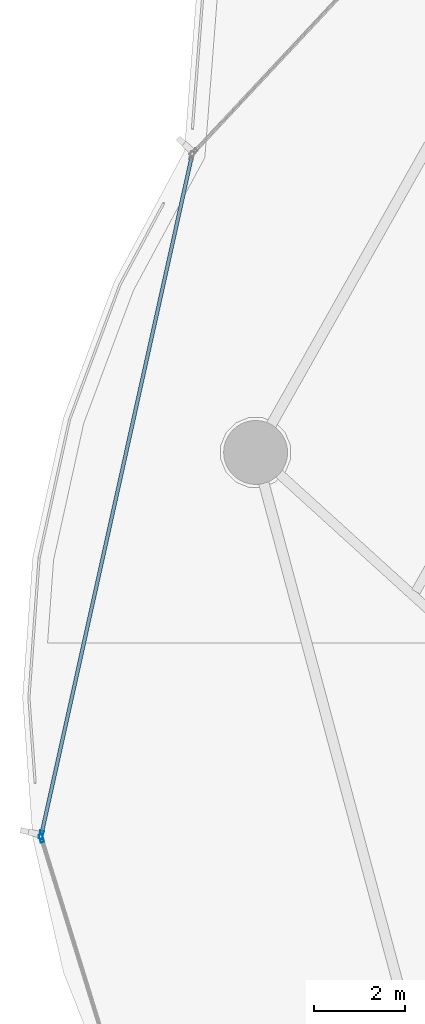
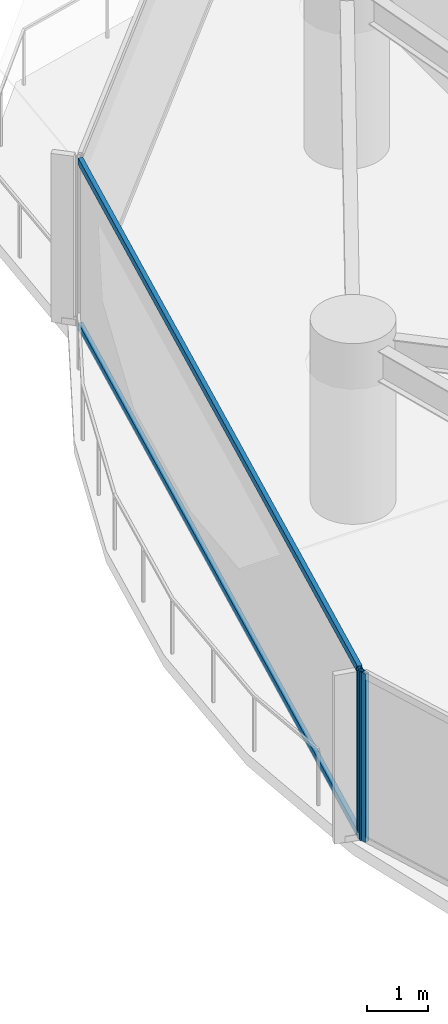
# One storey, part 8 of 33: 4 members, 2 elements without a shape of their own.
"""IFC4 building model written with IfcOpenShell, lengths in metres."""

import ifcopenshell
import ifcopenshell.guid

model = None  # the IFC model being written
_history = None  # IfcOwnerHistory: only IFC2X3 demands one
_inside = {}  # id of a spatial element -> (the spatial element, [elements in it])
_under = {}  # id of a project, library or spatial element -> (it, [spatial elements below it])
_declared = {}  # id of a project -> (the project, [libraries it declares])
_typed = {}  # id of a type object -> (the type object, [elements of that type])
_made_of = {}  # id of a material, layer set ... -> (it, [elements and type objects made of it])


def new_model(schema):
    """Start an empty IFC model of exactly this schema.

    Asked for "IFC4X3", IfcOpenShell would pick the latest addendum, in which some entities
    have other attributes; the version numbers below select the first issue.
    IFC2X3 requires an IfcOwnerHistory on every rooted entity: one is made here for all.
    """
    global model, _history
    if schema == "IFC4X3":
        model = ifcopenshell.file(schema_version=(4, 3, 0, 0))
    else:
        model = ifcopenshell.file(schema=schema)
    _inside.clear()
    _under.clear()
    _declared.clear()
    _typed.clear()
    _made_of.clear()
    _history = None
    if model.schema == "IFC2X3":
        org = make("IfcOrganization", Name="unknown")
        user = make(
            "IfcPersonAndOrganization",
            ThePerson=make("IfcPerson", FamilyName="unknown"),
            TheOrganization=org,
        )
        app = make(
            "IfcApplication",
            ApplicationDeveloper=org,
            Version="unknown",
            ApplicationFullName="unknown",
            ApplicationIdentifier="unknown",
        )
        _history = make(
            "IfcOwnerHistory",
            OwningUser=user,
            OwningApplication=app,
            ChangeAction="ADDED",
            CreationDate=0,
        )
    return model


def make(cls, **values):
    """One entity of the class cls with the attributes given. An attribute that is None is left unset."""
    return model.create_entity(
        cls, **{name: value for name, value in values.items() if value is not None}
    )


def rooted(cls, **values):
    """An entity with a GlobalId (a new one), such as an element, a storey or a relation."""
    return make(cls, GlobalId=ifcopenshell.guid.new(), OwnerHistory=_history, **values)


def si_unit(unit_type, name, prefix=None):
    """IfcSIUnit, for example si_unit("LENGTHUNIT", "METRE", prefix="MILLI")."""
    return make("IfcSIUnit", UnitType=unit_type, Prefix=prefix, Name=name)


def assignment(units):
    """IfcUnitAssignment: the units of a project."""
    return None if units is None else make("IfcUnitAssignment", Units=units)


def point(xyz):
    """IfcCartesianPoint."""
    return None if xyz is None else make("IfcCartesianPoint", Coordinates=xyz)


def direction(xyz):
    """IfcDirection."""
    return None if xyz is None else make("IfcDirection", DirectionRatios=xyz)


def frame(location, z_axis=None, x_axis=None):
    """IfcAxis2Placement3D, a coordinate frame: its origin and axes. An axis left out is left unset."""
    return make(
        "IfcAxis2Placement3D",
        Location=point(location),
        Axis=direction(z_axis),
        RefDirection=direction(x_axis),
    )


def frame_2d(location, x_axis=None):
    """IfcAxis2Placement2D, a coordinate frame in the plane: its origin and x axis."""
    return make(
        "IfcAxis2Placement2D", Location=point(location), RefDirection=direction(x_axis)
    )


def origin():
    """The frame at (0, 0, 0) with its axes left unset."""
    return frame((0.0, 0.0, 0.0))


def origin_2d():
    """The frame at (0, 0) in the plane with its x axis left unset."""
    return frame_2d((0.0, 0.0))


def place(relative_to, where):
    """IfcLocalPlacement: puts the frame where relative to a parent placement (None: the world)."""
    return make(
        "IfcLocalPlacement", PlacementRelTo=relative_to, RelativePlacement=where
    )


def context(
    kind, dimensions, precision=None, world=None, true_north=None, identifier=None
):
    """IfcGeometricRepresentationContext, for example the 3D "Model" context."""
    return make(
        "IfcGeometricRepresentationContext",
        ContextIdentifier=identifier,
        ContextType=kind,
        CoordinateSpaceDimension=dimensions,
        Precision=precision,
        WorldCoordinateSystem=world,
        TrueNorth=true_north,
    )


def subcontext(parent, identifier, kind, view, scale=None):
    """IfcGeometricRepresentationSubContext, for example "Body" below "Model"."""
    return make(
        "IfcGeometricRepresentationSubContext",
        ContextIdentifier=identifier,
        ContextType=kind,
        ParentContext=parent,
        TargetScale=scale,
        TargetView=view,
    )


def project(units=None, contexts=None):
    """IfcProject with its units and contexts."""
    return rooted(
        "IfcProject",
        Name="project",
        RepresentationContexts=contexts,
        UnitsInContext=assignment(units),
    )


def spatial(cls, under=None, at=None, **own):
    """A site, building, storey or space (cls), placed at a placement, below another one or the project."""
    s = rooted(cls, ObjectPlacement=at, **own)
    if under is not None:
        _under.setdefault(under.id(), (under, []))[1].append(s)
    return s


def profile(cls, at=None, kind="AREA", **sizes):
    """A parametric profile (cls). Its sizes go by their IFC names, for example OverallWidth=200.0."""
    return make(cls, ProfileType=kind, Position=at, **sizes)


def hollow_rectangle(**sizes):
    """IfcRectangleHollowProfileDef."""
    return profile("IfcRectangleHollowProfileDef", **sizes)


def extrude(swept, where, along, depth):
    """IfcExtrudedAreaSolid: the profile swept, set in the frame where, extruded along a direction by depth."""
    return make(
        "IfcExtrudedAreaSolid",
        SweptArea=swept,
        Position=where,
        ExtrudedDirection=direction(along),
        Depth=depth,
    )


def shape(context_of_items, identifier, shape_type, items):
    """IfcShapeRepresentation: the items that make up one representation, for example the "Body"."""
    return make(
        "IfcShapeRepresentation",
        ContextOfItems=context_of_items,
        RepresentationIdentifier=identifier,
        RepresentationType=shape_type,
        Items=items,
    )


def material(Name=None, Category=None):
    """IfcMaterial."""
    return make("IfcMaterial", Name=Name, Category=Category)


def layer(
    of_material, thickness, ventilated=None, Name=None, Category=None, Priority=None
):
    """IfcMaterialLayer: one layer of a wall or slab, of a material (None: an air gap)."""
    return make(
        "IfcMaterialLayer",
        Material=of_material,
        LayerThickness=thickness,
        IsVentilated=ventilated,
        Name=Name,
        Category=Category,
        Priority=Priority,
    )


def layer_set(layers, Name=None):
    """IfcMaterialLayerSet."""
    return make("IfcMaterialLayerSet", MaterialLayers=layers, LayerSetName=Name)


def material_profile(
    of_material, cross_section, Name=None, Category=None, Priority=None
):
    """IfcMaterialProfile: a cross section and its material."""
    return make(
        "IfcMaterialProfile",
        Name=Name,
        Material=of_material,
        Profile=cross_section,
        Priority=Priority,
        Category=Category,
    )


def profile_set(profiles, Name=None, composite=None):
    """IfcMaterialProfileSet."""
    return make(
        "IfcMaterialProfileSet",
        Name=Name,
        MaterialProfiles=profiles,
        CompositeProfile=composite,
    )


def made_of(thing, what):
    """Note that an element or type object is made of a material, layer set ...; save() writes the relation."""
    if what is not None:
        _made_of.setdefault(what.id(), (what, []))[1].append(thing)
    return thing


def type_object(cls, material=None, **own):
    """A type object (cls), such as IfcWallType, which elements share."""
    return made_of(rooted(cls, **own), material)


def element(
    cls,
    number,
    at=None,
    inside=None,
    cuts=None,
    type_object=None,
    material=None,
    context=None,
    identifier="Body",
    shape_type=None,
    held_by="IfcProductDefinitionShape",
    body=None,
    shapes=None,
    **own,
):
    """One element of the class cls, such as IfcWall. Its Tag is "e" and its number.

    at: its placement. inside: the storey or other place that contains it. cuts: it is an
    opening in that element (IfcRelVoidsElement). A single representation is given by context,
    identifier, shape_type and body (its items); several are given by shapes. held_by: the class
    of the entity that holds the representations. save() writes the other relations.
    """
    e = rooted(cls, Tag="e%d" % number, ObjectPlacement=at, **own)
    if body is not None:
        shapes = [shape(context, identifier, shape_type, body)]
    if shapes is not None:
        e.Representation = make(held_by, Representations=shapes)
    if inside is not None:
        _inside.setdefault(inside.id(), (inside, []))[1].append(e)
    if cuts is not None:
        rooted(
            "IfcRelVoidsElement", RelatingBuildingElement=cuts, RelatedOpeningElement=e
        )
    if type_object is not None:
        _typed.setdefault(type_object.id(), (type_object, []))[1].append(e)
    return made_of(e, material)


def aggregate(whole, parts):
    """IfcRelAggregates: a whole, such as a stair, and the parts it consists of."""
    return rooted("IfcRelAggregates", RelatingObject=whole, RelatedObjects=parts)


def save(model, path):
    """Write the relations noted so far, then the file.

    IfcRelAggregates (storeys below a building ...), IfcRelContainedInSpatialStructure (elements
    in a storey), IfcRelDefinesByType, IfcRelAssociatesMaterial and IfcRelDeclares: one each for
    every whole, place, type object, material and project.
    """
    for whole, parts in _under.values():
        aggregate(whole, parts)
    for where, things in _inside.values():
        rooted(
            "IfcRelContainedInSpatialStructure",
            RelatedElements=things,
            RelatingStructure=where,
        )
    for kind, things in _typed.values():
        rooted("IfcRelDefinesByType", RelatedObjects=things, RelatingType=kind)
    for what, things in _made_of.values():
        rooted("IfcRelAssociatesMaterial", RelatedObjects=things, RelatingMaterial=what)
    for by, libraries in _declared.values():
        rooted("IfcRelDeclares", RelatingContext=by, RelatedDefinitions=libraries)
    model.write(path)


model = new_model("IFC4")

# Units and contexts
model_context = context("Model", 3, precision=1e-05, world=origin(), true_north=direction((0.0, 1.0)))
body_context = subcontext(model_context, "Body", "Model", "MODEL_VIEW")
ifc_project = project(units=[si_unit("LENGTHUNIT", "METRE"), si_unit("AREAUNIT", "SQUARE_METRE"), si_unit("VOLUMEUNIT", "CUBIC_METRE"), si_unit("PLANEANGLEUNIT", "RADIAN"), si_unit("MASSUNIT", "GRAM", prefix="KILO")], contexts=[model_context])

# Site, building, storey
site_placement = place(None, origin())
site = spatial("IfcSite", under=ifc_project, at=site_placement, CompositionType="ELEMENT")
building_placement = place(site_placement, origin())
building = spatial("IfcBuilding", under=site, at=building_placement, Name="Kazevale Care Tower and Concert Hall", CompositionType="ELEMENT")
storey_placement = place(building_placement, frame((0.0, 0.0, 49.199951171875)))
storey = spatial("IfcBuildingStorey", under=building, at=storey_placement, Name="L12", CompositionType="ELEMENT", Elevation=49.199951171875)

# Curtain wall, member
ifc_material_1 = material(Name="Aluminium 6063-T6 and Low-E Glass", Category="aluminium")
ifc_layer = layer(ifc_material_1, 0.179931640625)
ifc_layer_set = layer_set([ifc_layer], Name="Aluminium 6063-T6 and Low-E Glass")
curtain_wall_type = type_object("IfcCurtainWallType", Name="Waist & Upper Residential Curtain Wall CW-4", PredefinedType="NOTDEFINED", material=ifc_layer_set)
curtain_wall_1_placement = place(storey_placement, origin())
curtain_wall_1 = element("IfcCurtainWall", 1, at=curtain_wall_1_placement, inside=storey, type_object=curtain_wall_type, Name="cw:L12:f12", PredefinedType="NOTDEFINED")
ifc_material_2 = material(Name="Aluminium 6063-T6", Category="aluminium")
ifc_material_profile_1 = material_profile(ifc_material_2, hollow_rectangle(XDim=0.080078125, YDim=0.179931640625, WallThickness=0.0048828125, at=origin_2d()), Name="ALU80x180x5")
ifc_profile_set_1 = profile_set([ifc_material_profile_1], Name="Aluminium 6063-T6")
member_type_1 = type_object("IfcMemberType", Name="CW-4 Mullion ALU80x180x5", PredefinedType="MULLION", material=ifc_profile_set_1)
member_1_placement = place(storey_placement, frame((9.61572265625, 34.919677734375, 0.0), z_axis=(0.0, 0.0, 1.0), x_axis=(-0.955157326175, -0.296098771112, 0.0)))
member_1 = element("IfcMember", 2, at=member_1_placement, type_object=member_type_1, Name="CW-4 mullion 2", PredefinedType="MULLION", context=body_context, shape_type="SweptSolid", body=[
    extrude(hollow_rectangle(XDim=0.080078125, YDim=0.179931640625, WallThickness=0.0048828125, at=origin_2d()), origin(), (0.0, 0.0, 1.0), 3.360107421875),
])
aggregate(curtain_wall_1, [member_1])

# Curtain wall, members
curtain_wall_2_placement = place(storey_placement, origin())
curtain_wall_2 = element("IfcCurtainWall", 3, at=curtain_wall_2_placement, inside=storey, type_object=curtain_wall_type, Name="cw:L12:f13", PredefinedType="NOTDEFINED")
member_2_placement = place(storey_placement, frame((9.612548828125, 34.9970703125, 0.0), z_axis=(0.0, 0.0, 1.0), x_axis=(-0.976291328475, 0.216460716862, 0.0)))
member_2 = element("IfcMember", 4, at=member_2_placement, type_object=member_type_1, Name="CW-4 mullion 1", PredefinedType="MULLION", context=body_context, shape_type="SweptSolid", body=[
    extrude(hollow_rectangle(XDim=0.080078125, YDim=0.179931640625, WallThickness=0.0048828125, at=origin_2d()), origin(), (0.0, 0.0, 1.0), 3.360107421875),
])
ifc_material_profile_2 = material_profile(ifc_material_2, hollow_rectangle(XDim=0.080078125, YDim=0.139892578125, WallThickness=0.00390625, at=origin_2d()), Name="ALU80x140x4")
ifc_profile_set_2 = profile_set([ifc_material_profile_2], Name="Aluminium 6063-T6")
member_type_2 = type_object("IfcMemberType", Name="CW-4 Transom ALU80x140x4", PredefinedType="USERDEFINED", material=ifc_profile_set_2)
member_3_placement = place(storey_placement, frame((9.621337890625, 35.0361328125, 0.0400390625), z_axis=(0.216465185417, 0.976290337708, 0.0), x_axis=(-0.976290337708, 0.216465185417, 0.0)))
member_3 = element("IfcMember", 5, at=member_3_placement, type_object=member_type_2, Name="CW-4 transom 1.1", ObjectType="TRANSOM", PredefinedType="USERDEFINED", context=body_context, shape_type="SweptSolid", body=[
    extrude(hollow_rectangle(XDim=0.080078125, YDim=0.139892578125, WallThickness=0.00390625, at=origin_2d()), origin(), (0.0, 0.0, 1.0), 15.16845703125),
])
member_4_placement = place(storey_placement, frame((9.621337890625, 35.0361328125, 3.320068359375), z_axis=(0.216465185417, 0.976290337708, 0.0), x_axis=(-0.976290337708, 0.216465185417, 0.0)))
member_4 = element("IfcMember", 6, at=member_4_placement, type_object=member_type_2, Name="CW-4 transom 1.2", ObjectType="TRANSOM", PredefinedType="USERDEFINED", context=body_context, shape_type="SweptSolid", body=[
    extrude(hollow_rectangle(XDim=0.080078125, YDim=0.139892578125, WallThickness=0.00390625, at=origin_2d()), origin(), (0.0, 0.0, 1.0), 15.16845703125),
])
aggregate(curtain_wall_2, [member_2, member_3, member_4])

save(model, "model.ifc")
